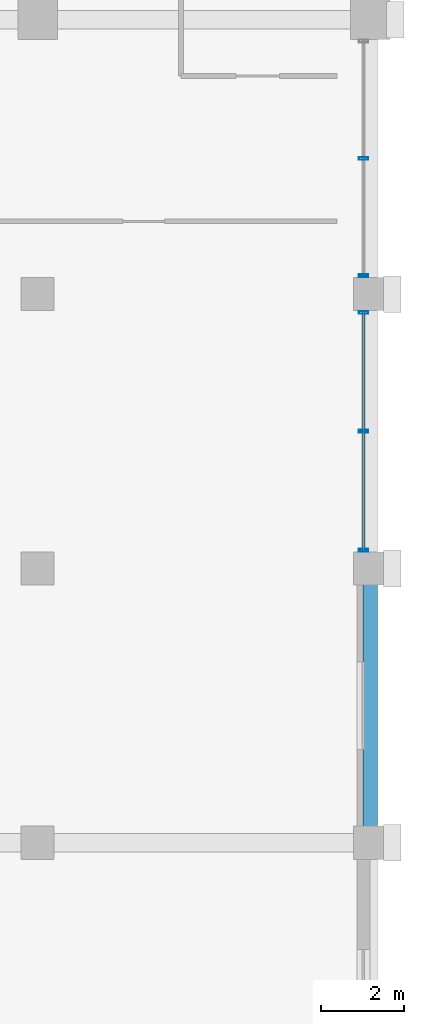
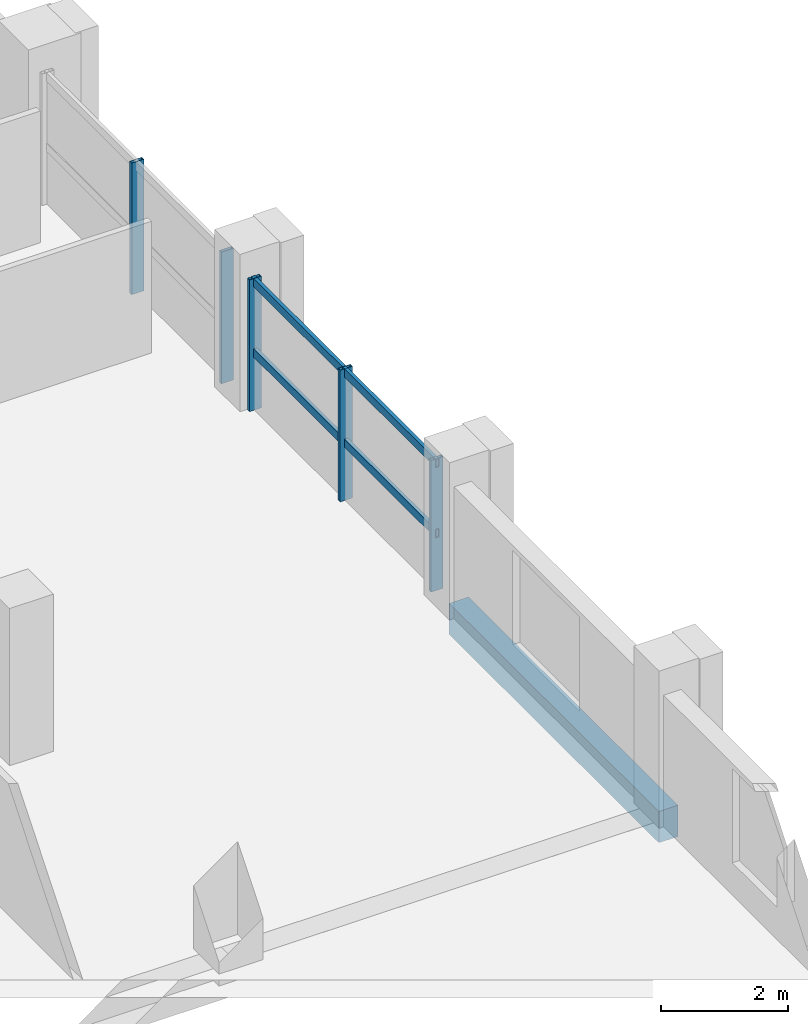
# One storey, part 9 of 23: 7 members, 1 beam, 2 elements without a shape of their own.
"""IFC4 building model written with IfcOpenShell, lengths in metres."""

import ifcopenshell
import ifcopenshell.guid

model = None  # the IFC model being written
_history = None  # IfcOwnerHistory: only IFC2X3 demands one
_inside = {}  # id of a spatial element -> (the spatial element, [elements in it])
_under = {}  # id of a project, library or spatial element -> (it, [spatial elements below it])
_declared = {}  # id of a project -> (the project, [libraries it declares])
_typed = {}  # id of a type object -> (the type object, [elements of that type])
_made_of = {}  # id of a material, layer set ... -> (it, [elements and type objects made of it])


def new_model(schema):
    """Start an empty IFC model of exactly this schema.

    Asked for "IFC4X3", IfcOpenShell would pick the latest addendum, in which some entities
    have other attributes; the version numbers below select the first issue.
    IFC2X3 requires an IfcOwnerHistory on every rooted entity: one is made here for all.
    """
    global model, _history
    if schema == "IFC4X3":
        model = ifcopenshell.file(schema_version=(4, 3, 0, 0))
    else:
        model = ifcopenshell.file(schema=schema)
    _inside.clear()
    _under.clear()
    _declared.clear()
    _typed.clear()
    _made_of.clear()
    _history = None
    if model.schema == "IFC2X3":
        org = make("IfcOrganization", Name="unknown")
        user = make(
            "IfcPersonAndOrganization",
            ThePerson=make("IfcPerson", FamilyName="unknown"),
            TheOrganization=org,
        )
        app = make(
            "IfcApplication",
            ApplicationDeveloper=org,
            Version="unknown",
            ApplicationFullName="unknown",
            ApplicationIdentifier="unknown",
        )
        _history = make(
            "IfcOwnerHistory",
            OwningUser=user,
            OwningApplication=app,
            ChangeAction="ADDED",
            CreationDate=0,
        )
    return model


def make(cls, **values):
    """One entity of the class cls with the attributes given. An attribute that is None is left unset."""
    return model.create_entity(
        cls, **{name: value for name, value in values.items() if value is not None}
    )


def rooted(cls, **values):
    """An entity with a GlobalId (a new one), such as an element, a storey or a relation."""
    return make(cls, GlobalId=ifcopenshell.guid.new(), OwnerHistory=_history, **values)


def si_unit(unit_type, name, prefix=None):
    """IfcSIUnit, for example si_unit("LENGTHUNIT", "METRE", prefix="MILLI")."""
    return make("IfcSIUnit", UnitType=unit_type, Prefix=prefix, Name=name)


def assignment(units):
    """IfcUnitAssignment: the units of a project."""
    return None if units is None else make("IfcUnitAssignment", Units=units)


def point(xyz):
    """IfcCartesianPoint."""
    return None if xyz is None else make("IfcCartesianPoint", Coordinates=xyz)


def direction(xyz):
    """IfcDirection."""
    return None if xyz is None else make("IfcDirection", DirectionRatios=xyz)


def frame(location, z_axis=None, x_axis=None):
    """IfcAxis2Placement3D, a coordinate frame: its origin and axes. An axis left out is left unset."""
    return make(
        "IfcAxis2Placement3D",
        Location=point(location),
        Axis=direction(z_axis),
        RefDirection=direction(x_axis),
    )


def frame_2d(location, x_axis=None):
    """IfcAxis2Placement2D, a coordinate frame in the plane: its origin and x axis."""
    return make(
        "IfcAxis2Placement2D", Location=point(location), RefDirection=direction(x_axis)
    )


def origin():
    """The frame at (0, 0, 0) with its axes left unset."""
    return frame((0.0, 0.0, 0.0))


def origin_2d():
    """The frame at (0, 0) in the plane with its x axis left unset."""
    return frame_2d((0.0, 0.0))


def place(relative_to, where):
    """IfcLocalPlacement: puts the frame where relative to a parent placement (None: the world)."""
    return make(
        "IfcLocalPlacement", PlacementRelTo=relative_to, RelativePlacement=where
    )


def context(
    kind, dimensions, precision=None, world=None, true_north=None, identifier=None
):
    """IfcGeometricRepresentationContext, for example the 3D "Model" context."""
    return make(
        "IfcGeometricRepresentationContext",
        ContextIdentifier=identifier,
        ContextType=kind,
        CoordinateSpaceDimension=dimensions,
        Precision=precision,
        WorldCoordinateSystem=world,
        TrueNorth=true_north,
    )


def subcontext(parent, identifier, kind, view, scale=None):
    """IfcGeometricRepresentationSubContext, for example "Body" below "Model"."""
    return make(
        "IfcGeometricRepresentationSubContext",
        ContextIdentifier=identifier,
        ContextType=kind,
        ParentContext=parent,
        TargetScale=scale,
        TargetView=view,
    )


def project(units=None, contexts=None):
    """IfcProject with its units and contexts."""
    return rooted(
        "IfcProject",
        Name="project",
        RepresentationContexts=contexts,
        UnitsInContext=assignment(units),
    )


def spatial(cls, under=None, at=None, **own):
    """A site, building, storey or space (cls), placed at a placement, below another one or the project."""
    s = rooted(cls, ObjectPlacement=at, **own)
    if under is not None:
        _under.setdefault(under.id(), (under, []))[1].append(s)
    return s


def profile(cls, at=None, kind="AREA", **sizes):
    """A parametric profile (cls). Its sizes go by their IFC names, for example OverallWidth=200.0."""
    return make(cls, ProfileType=kind, Position=at, **sizes)


def rectangle(**sizes):
    """IfcRectangleProfileDef."""
    return profile("IfcRectangleProfileDef", **sizes)


def hollow_rectangle(**sizes):
    """IfcRectangleHollowProfileDef."""
    return profile("IfcRectangleHollowProfileDef", **sizes)


def extrude(swept, where, along, depth):
    """IfcExtrudedAreaSolid: the profile swept, set in the frame where, extruded along a direction by depth."""
    return make(
        "IfcExtrudedAreaSolid",
        SweptArea=swept,
        Position=where,
        ExtrudedDirection=direction(along),
        Depth=depth,
    )


def shape(context_of_items, identifier, shape_type, items):
    """IfcShapeRepresentation: the items that make up one representation, for example the "Body"."""
    return make(
        "IfcShapeRepresentation",
        ContextOfItems=context_of_items,
        RepresentationIdentifier=identifier,
        RepresentationType=shape_type,
        Items=items,
    )


def material(Name=None, Category=None):
    """IfcMaterial."""
    return make("IfcMaterial", Name=Name, Category=Category)


def material_profile(
    of_material, cross_section, Name=None, Category=None, Priority=None
):
    """IfcMaterialProfile: a cross section and its material."""
    return make(
        "IfcMaterialProfile",
        Name=Name,
        Material=of_material,
        Profile=cross_section,
        Priority=Priority,
        Category=Category,
    )


def profile_set(profiles, Name=None, composite=None):
    """IfcMaterialProfileSet."""
    return make(
        "IfcMaterialProfileSet",
        Name=Name,
        MaterialProfiles=profiles,
        CompositeProfile=composite,
    )


def made_of(thing, what):
    """Note that an element or type object is made of a material, layer set ...; save() writes the relation."""
    if what is not None:
        _made_of.setdefault(what.id(), (what, []))[1].append(thing)
    return thing


def type_object(cls, material=None, **own):
    """A type object (cls), such as IfcWallType, which elements share."""
    return made_of(rooted(cls, **own), material)


def element(
    cls,
    number,
    at=None,
    inside=None,
    cuts=None,
    type_object=None,
    material=None,
    context=None,
    identifier="Body",
    shape_type=None,
    held_by="IfcProductDefinitionShape",
    body=None,
    shapes=None,
    **own,
):
    """One element of the class cls, such as IfcWall. Its Tag is "e" and its number.

    at: its placement. inside: the storey or other place that contains it. cuts: it is an
    opening in that element (IfcRelVoidsElement). A single representation is given by context,
    identifier, shape_type and body (its items); several are given by shapes. held_by: the class
    of the entity that holds the representations. save() writes the other relations.
    """
    e = rooted(cls, Tag="e%d" % number, ObjectPlacement=at, **own)
    if body is not None:
        shapes = [shape(context, identifier, shape_type, body)]
    if shapes is not None:
        e.Representation = make(held_by, Representations=shapes)
    if inside is not None:
        _inside.setdefault(inside.id(), (inside, []))[1].append(e)
    if cuts is not None:
        rooted(
            "IfcRelVoidsElement", RelatingBuildingElement=cuts, RelatedOpeningElement=e
        )
    if type_object is not None:
        _typed.setdefault(type_object.id(), (type_object, []))[1].append(e)
    return made_of(e, material)


def aggregate(whole, parts):
    """IfcRelAggregates: a whole, such as a stair, and the parts it consists of."""
    return rooted("IfcRelAggregates", RelatingObject=whole, RelatedObjects=parts)


def save(model, path):
    """Write the relations noted so far, then the file.

    IfcRelAggregates (storeys below a building ...), IfcRelContainedInSpatialStructure (elements
    in a storey), IfcRelDefinesByType, IfcRelAssociatesMaterial and IfcRelDeclares: one each for
    every whole, place, type object, material and project.
    """
    for whole, parts in _under.values():
        aggregate(whole, parts)
    for where, things in _inside.values():
        rooted(
            "IfcRelContainedInSpatialStructure",
            RelatedElements=things,
            RelatingStructure=where,
        )
    for kind, things in _typed.values():
        rooted("IfcRelDefinesByType", RelatedObjects=things, RelatingType=kind)
    for what, things in _made_of.values():
        rooted("IfcRelAssociatesMaterial", RelatedObjects=things, RelatingMaterial=what)
    for by, libraries in _declared.values():
        rooted("IfcRelDeclares", RelatingContext=by, RelatedDefinitions=libraries)
    model.write(path)


model = new_model("IFC4")

# Units and contexts
model_context = context("Model", 3, precision=1e-05, world=origin(), true_north=direction((0.0, 1.0)))
body_context = subcontext(model_context, "Body", "Model", "MODEL_VIEW")
ifc_project = project(units=[si_unit("LENGTHUNIT", "METRE"), si_unit("AREAUNIT", "SQUARE_METRE"), si_unit("VOLUMEUNIT", "CUBIC_METRE"), si_unit("PLANEANGLEUNIT", "RADIAN"), si_unit("MASSUNIT", "GRAM", prefix="KILO")], contexts=[model_context])

# Site, building, storey
site_placement = place(None, origin())
site = spatial("IfcSite", under=ifc_project, at=site_placement, CompositionType="ELEMENT")
building_placement = place(site_placement, origin())
building = spatial("IfcBuilding", under=site, at=building_placement, Name="Akrevak Sports Hall", CompositionType="ELEMENT")
storey_placement = place(building_placement, frame((0.0, 0.0, 47.050048828125)))
storey = spatial("IfcBuildingStorey", under=building, at=storey_placement, Name="L11", CompositionType="ELEMENT", Elevation=47.050048828125)

# Curtain wall, members
ifc_material_1 = material(Name="Anodized Bronze Aluminium & Low-E Glass", Category="aluminium")
curtain_wall_type = type_object("IfcCurtainWallType", Name="ARC-CW-TWR-56x30", PredefinedType="NOTDEFINED", material=ifc_material_1)
curtain_wall_1_placement = place(storey_placement, origin())
curtain_wall_1 = element("IfcCurtainWall", 1, at=curtain_wall_1_placement, inside=storey, type_object=curtain_wall_type, Name="Curtain Wall CW-L11-E13", PredefinedType="NOTDEFINED")
ifc_material_2 = material(Name="Anodized Bronze Aluminium", Category="aluminium")
ifc_material_profile_1 = material_profile(ifc_material_2, hollow_rectangle(XDim=0.06494140625, YDim=0.219970703125, WallThickness=0.00439453125, at=origin_2d()), Name="CWM 65x220", Category="aluminium")
ifc_profile_set_1 = profile_set([ifc_material_profile_1], Name="Anodized Bronze Aluminium")
member_type_1 = type_object("IfcMemberType", Name="ARC-CWM-70x160", PredefinedType="MULLION", material=ifc_profile_set_1)
member_1_placement = place(storey_placement, frame((107.840087890625, 42.43994140625, 0.0), z_axis=(0.0, 0.0, 1.0), x_axis=(0.0, 1.0, 0.0)))
member_1 = element("IfcMember", 2, at=member_1_placement, type_object=member_type_1, Name="Curtain Wall Mullion CW-L11-E13-M1", PredefinedType="MULLION", context=body_context, shape_type="SweptSolid", body=[
    extrude(hollow_rectangle(XDim=0.06494140625, YDim=0.219970703125, WallThickness=0.00439453125, at=origin_2d()), origin(), (0.0, 0.0, 1.0), 2.530029296875),
])
member_2_placement = place(storey_placement, frame((107.840087890625, 45.300048828125, 0.0), z_axis=(0.0, 0.0, 1.0), x_axis=(0.0, 1.0, 0.0)))
member_2 = element("IfcMember", 3, at=member_2_placement, type_object=member_type_1, Name="Curtain Wall Mullion CW-L11-E13-M2", PredefinedType="MULLION", context=body_context, shape_type="SweptSolid", body=[
    extrude(hollow_rectangle(XDim=0.06494140625, YDim=0.219970703125, WallThickness=0.00439453125, at=origin_2d()), origin(), (0.0, 0.0, 1.0), 2.530029296875),
])
member_3_placement = place(storey_placement, frame((107.840087890625, 48.159912109375, 0.0), z_axis=(0.0, 0.0, 1.0), x_axis=(0.0, 1.0, 0.0)))
member_3 = element("IfcMember", 4, at=member_3_placement, type_object=member_type_1, Name="Curtain Wall Mullion CW-L11-E13-M3", PredefinedType="MULLION", context=body_context, shape_type="SweptSolid", body=[
    extrude(hollow_rectangle(XDim=0.06494140625, YDim=0.219970703125, WallThickness=0.00439453125, at=origin_2d()), origin(), (0.0, 0.0, 1.0), 2.530029296875),
])

curtain_wall_2_placement = place(storey_placement, origin())
curtain_wall_2 = element("IfcCurtainWall", 5, at=curtain_wall_2_placement, inside=storey, type_object=curtain_wall_type, Name="Curtain Wall CW-L11-E14", PredefinedType="NOTDEFINED")
member_4_placement = place(storey_placement, frame((107.840087890625, 49.0400390625, 0.0), z_axis=(0.0, 0.0, 1.0), x_axis=(0.0, 1.0, 0.0)))
member_4 = element("IfcMember", 6, at=member_4_placement, type_object=member_type_1, Name="Curtain Wall Mullion CW-L11-E14-M1", PredefinedType="MULLION", context=body_context, shape_type="SweptSolid", body=[
    extrude(hollow_rectangle(XDim=0.06494140625, YDim=0.219970703125, WallThickness=0.00439453125, at=origin_2d()), origin(), (0.0, 0.0, 1.0), 2.530029296875),
])
member_5_placement = place(storey_placement, frame((107.840087890625, 51.862548828125, 0.0), z_axis=(0.0, 0.0, 1.0), x_axis=(0.0, 1.0, 0.0)))
member_5 = element("IfcMember", 7, at=member_5_placement, type_object=member_type_1, Name="Curtain Wall Mullion CW-L11-E14-M2", PredefinedType="MULLION", context=body_context, shape_type="SweptSolid", body=[
    extrude(hollow_rectangle(XDim=0.06494140625, YDim=0.219970703125, WallThickness=0.00439453125, at=origin_2d()), origin(), (0.0, 0.0, 1.0), 2.530029296875),
])
aggregate(curtain_wall_2, [member_4, member_5])

# Member
ifc_material_profile_2 = material_profile(ifc_material_2, hollow_rectangle(XDim=0.06494140625, YDim=0.159912109375, WallThickness=0.00390625, at=origin_2d()), Name="CWT 65x160", Category="aluminium")
ifc_profile_set_2 = profile_set([ifc_material_profile_2], Name="Anodized Bronze Aluminium")
member_type_2 = type_object("IfcMemberType", Name="ARC-CWT-70x130", PredefinedType="USERDEFINED", material=ifc_profile_set_2)
member_6_placement = place(storey_placement, frame((107.840087890625, 42.39990234375, 1.099853515625), z_axis=(0.0, 1.0, 0.0), x_axis=(-1.0, 0.0, 0.0)))
member_6 = element("IfcMember", 8, at=member_6_placement, type_object=member_type_2, Name="Curtain Wall Transom CW-L11-E13-T1", ObjectType="TRANSOM", PredefinedType="USERDEFINED", context=body_context, shape_type="SweptSolid", body=[
    extrude(hollow_rectangle(XDim=0.06494140625, YDim=0.159912109375, WallThickness=0.00390625, at=origin_2d()), origin(), (0.0, 0.0, 1.0), 5.800048828125),
])

member_7_placement = place(storey_placement, frame((107.840087890625, 42.39990234375, 2.449951171875), z_axis=(0.0, 1.0, 0.0), x_axis=(-1.0, 0.0, 0.0)))
member_7 = element("IfcMember", 9, at=member_7_placement, type_object=member_type_2, Name="Curtain Wall Transom CW-L11-E13-T2", ObjectType="TRANSOM", PredefinedType="USERDEFINED", context=body_context, shape_type="SweptSolid", body=[
    extrude(hollow_rectangle(XDim=0.06494140625, YDim=0.159912109375, WallThickness=0.00390625, at=origin_2d()), origin(), (0.0, 0.0, 1.0), 5.800048828125),
])

aggregate(curtain_wall_1, [member_1, member_2, member_3, member_6, member_7])

# Beam
ifc_material_3 = material(Name="Concrete C40/50", Category="concrete")
ifc_material_profile_3 = material_profile(ifc_material_3, rectangle(XDim=0.35009765625, YDim=0.60009765625, at=origin_2d()), Name="BM 350x600", Category="concrete")
ifc_profile_set_3 = profile_set([ifc_material_profile_3], Name="Concrete C40/50")
beam_type = type_object("IfcBeamType", Name="STR-BM-RC350x600", PredefinedType="BEAM", material=ifc_profile_set_3)
beam_placement = place(storey_placement, frame((108.0, 35.39990234375, -0.300048828125), z_axis=(0.0, 1.0, 0.0), x_axis=(-1.0, 0.0, 0.0)))
element("IfcBeam", 10, at=beam_placement, inside=storey, type_object=beam_type, Name="Girder 15/F-G (L11)", PredefinedType="BEAM", context=body_context, shape_type="SweptSolid", body=[
    extrude(rectangle(XDim=0.35009765625, YDim=0.60009765625, at=origin_2d()), origin(), (0.0, 0.0, 1.0), 6.60009765625),
])

save(model, "model.ifc")
